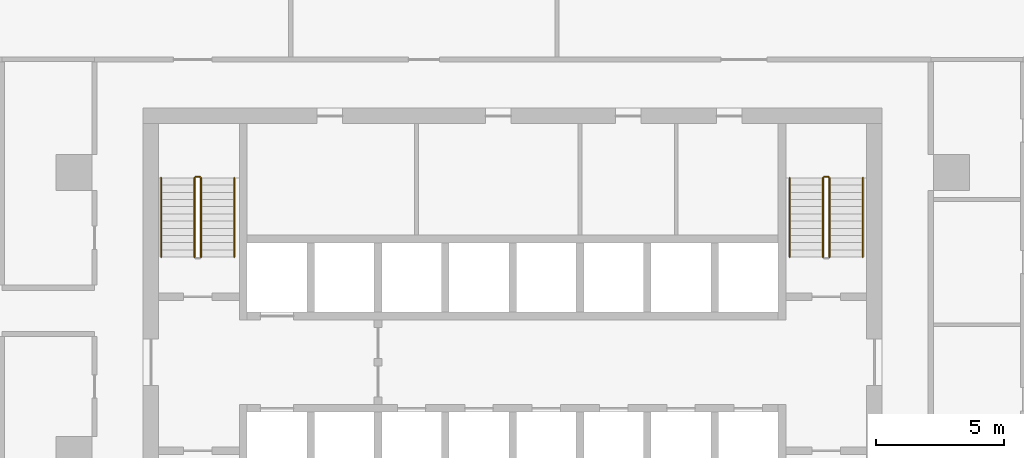
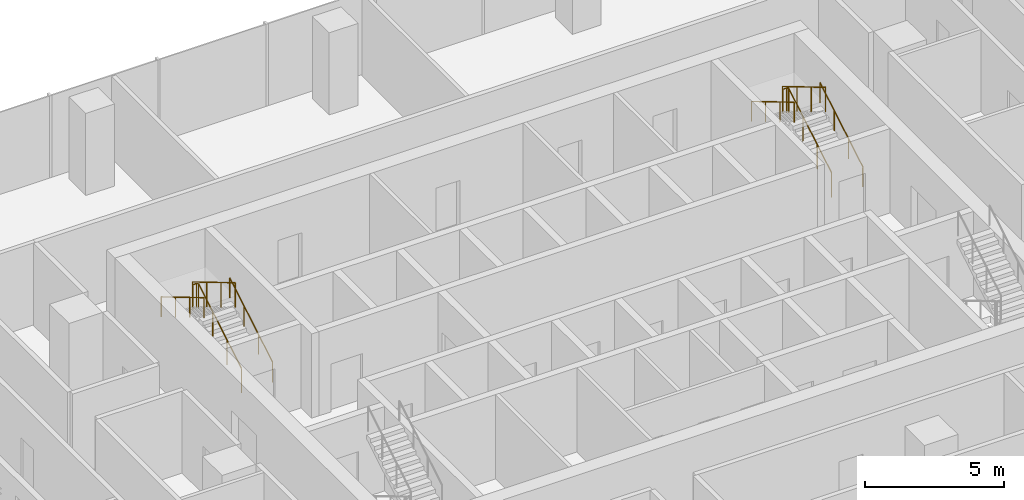
# One storey, part 15 of 15: 8 railings.
"""IFC4 building model written with IfcOpenShell, lengths in metres."""

import ifcopenshell
import ifcopenshell.guid

model = None  # the IFC model being written
_history = None  # IfcOwnerHistory: only IFC2X3 demands one
_inside = {}  # id of a spatial element -> (the spatial element, [elements in it])
_under = {}  # id of a project, library or spatial element -> (it, [spatial elements below it])
_declared = {}  # id of a project -> (the project, [libraries it declares])
_typed = {}  # id of a type object -> (the type object, [elements of that type])
_made_of = {}  # id of a material, layer set ... -> (it, [elements and type objects made of it])


def new_model(schema):
    """Start an empty IFC model of exactly this schema.

    Asked for "IFC4X3", IfcOpenShell would pick the latest addendum, in which some entities
    have other attributes; the version numbers below select the first issue.
    IFC2X3 requires an IfcOwnerHistory on every rooted entity: one is made here for all.
    """
    global model, _history
    if schema == "IFC4X3":
        model = ifcopenshell.file(schema_version=(4, 3, 0, 0))
    else:
        model = ifcopenshell.file(schema=schema)
    _inside.clear()
    _under.clear()
    _declared.clear()
    _typed.clear()
    _made_of.clear()
    _history = None
    if model.schema == "IFC2X3":
        org = make("IfcOrganization", Name="unknown")
        user = make(
            "IfcPersonAndOrganization",
            ThePerson=make("IfcPerson", FamilyName="unknown"),
            TheOrganization=org,
        )
        app = make(
            "IfcApplication",
            ApplicationDeveloper=org,
            Version="unknown",
            ApplicationFullName="unknown",
            ApplicationIdentifier="unknown",
        )
        _history = make(
            "IfcOwnerHistory",
            OwningUser=user,
            OwningApplication=app,
            ChangeAction="ADDED",
            CreationDate=0,
        )
    return model


def make(cls, **values):
    """One entity of the class cls with the attributes given. An attribute that is None is left unset."""
    return model.create_entity(
        cls, **{name: value for name, value in values.items() if value is not None}
    )


def rooted(cls, **values):
    """An entity with a GlobalId (a new one), such as an element, a storey or a relation."""
    return make(cls, GlobalId=ifcopenshell.guid.new(), OwnerHistory=_history, **values)


def si_unit(unit_type, name, prefix=None):
    """IfcSIUnit, for example si_unit("LENGTHUNIT", "METRE", prefix="MILLI")."""
    return make("IfcSIUnit", UnitType=unit_type, Prefix=prefix, Name=name)


def assignment(units):
    """IfcUnitAssignment: the units of a project."""
    return None if units is None else make("IfcUnitAssignment", Units=units)


def point(xyz):
    """IfcCartesianPoint."""
    return None if xyz is None else make("IfcCartesianPoint", Coordinates=xyz)


def direction(xyz):
    """IfcDirection."""
    return None if xyz is None else make("IfcDirection", DirectionRatios=xyz)


def frame(location, z_axis=None, x_axis=None):
    """IfcAxis2Placement3D, a coordinate frame: its origin and axes. An axis left out is left unset."""
    return make(
        "IfcAxis2Placement3D",
        Location=point(location),
        Axis=direction(z_axis),
        RefDirection=direction(x_axis),
    )


def frame_2d(location, x_axis=None):
    """IfcAxis2Placement2D, a coordinate frame in the plane: its origin and x axis."""
    return make(
        "IfcAxis2Placement2D", Location=point(location), RefDirection=direction(x_axis)
    )


def origin():
    """The frame at (0, 0, 0) with its axes left unset."""
    return frame((0.0, 0.0, 0.0))


def origin_2d():
    """The frame at (0, 0) in the plane with its x axis left unset."""
    return frame_2d((0.0, 0.0))


def place(relative_to, where):
    """IfcLocalPlacement: puts the frame where relative to a parent placement (None: the world)."""
    return make(
        "IfcLocalPlacement", PlacementRelTo=relative_to, RelativePlacement=where
    )


def context(
    kind, dimensions, precision=None, world=None, true_north=None, identifier=None
):
    """IfcGeometricRepresentationContext, for example the 3D "Model" context."""
    return make(
        "IfcGeometricRepresentationContext",
        ContextIdentifier=identifier,
        ContextType=kind,
        CoordinateSpaceDimension=dimensions,
        Precision=precision,
        WorldCoordinateSystem=world,
        TrueNorth=true_north,
    )


def subcontext(parent, identifier, kind, view, scale=None):
    """IfcGeometricRepresentationSubContext, for example "Body" below "Model"."""
    return make(
        "IfcGeometricRepresentationSubContext",
        ContextIdentifier=identifier,
        ContextType=kind,
        ParentContext=parent,
        TargetScale=scale,
        TargetView=view,
    )


def project(units=None, contexts=None):
    """IfcProject with its units and contexts."""
    return rooted(
        "IfcProject",
        Name="project",
        RepresentationContexts=contexts,
        UnitsInContext=assignment(units),
    )


def spatial(cls, under=None, at=None, **own):
    """A site, building, storey or space (cls), placed at a placement, below another one or the project."""
    s = rooted(cls, ObjectPlacement=at, **own)
    if under is not None:
        _under.setdefault(under.id(), (under, []))[1].append(s)
    return s


def profile(cls, at=None, kind="AREA", **sizes):
    """A parametric profile (cls). Its sizes go by their IFC names, for example OverallWidth=200.0."""
    return make(cls, ProfileType=kind, Position=at, **sizes)


def circle(**sizes):
    """IfcCircleProfileDef."""
    return profile("IfcCircleProfileDef", **sizes)


def extrude(swept, where, along, depth):
    """IfcExtrudedAreaSolid: the profile swept, set in the frame where, extruded along a direction by depth."""
    return make(
        "IfcExtrudedAreaSolid",
        SweptArea=swept,
        Position=where,
        ExtrudedDirection=direction(along),
        Depth=depth,
    )


def shape(context_of_items, identifier, shape_type, items):
    """IfcShapeRepresentation: the items that make up one representation, for example the "Body"."""
    return make(
        "IfcShapeRepresentation",
        ContextOfItems=context_of_items,
        RepresentationIdentifier=identifier,
        RepresentationType=shape_type,
        Items=items,
    )


def material(Name=None, Category=None):
    """IfcMaterial."""
    return make("IfcMaterial", Name=Name, Category=Category)


def made_of(thing, what):
    """Note that an element or type object is made of a material, layer set ...; save() writes the relation."""
    if what is not None:
        _made_of.setdefault(what.id(), (what, []))[1].append(thing)
    return thing


def type_object(cls, material=None, **own):
    """A type object (cls), such as IfcWallType, which elements share."""
    return made_of(rooted(cls, **own), material)


def element(
    cls,
    number,
    at=None,
    inside=None,
    cuts=None,
    type_object=None,
    material=None,
    context=None,
    identifier="Body",
    shape_type=None,
    held_by="IfcProductDefinitionShape",
    body=None,
    shapes=None,
    **own,
):
    """One element of the class cls, such as IfcWall. Its Tag is "e" and its number.

    at: its placement. inside: the storey or other place that contains it. cuts: it is an
    opening in that element (IfcRelVoidsElement). A single representation is given by context,
    identifier, shape_type and body (its items); several are given by shapes. held_by: the class
    of the entity that holds the representations. save() writes the other relations.
    """
    e = rooted(cls, Tag="e%d" % number, ObjectPlacement=at, **own)
    if body is not None:
        shapes = [shape(context, identifier, shape_type, body)]
    if shapes is not None:
        e.Representation = make(held_by, Representations=shapes)
    if inside is not None:
        _inside.setdefault(inside.id(), (inside, []))[1].append(e)
    if cuts is not None:
        rooted(
            "IfcRelVoidsElement", RelatingBuildingElement=cuts, RelatedOpeningElement=e
        )
    if type_object is not None:
        _typed.setdefault(type_object.id(), (type_object, []))[1].append(e)
    return made_of(e, material)


def aggregate(whole, parts):
    """IfcRelAggregates: a whole, such as a stair, and the parts it consists of."""
    return rooted("IfcRelAggregates", RelatingObject=whole, RelatedObjects=parts)


def save(model, path):
    """Write the relations noted so far, then the file.

    IfcRelAggregates (storeys below a building ...), IfcRelContainedInSpatialStructure (elements
    in a storey), IfcRelDefinesByType, IfcRelAssociatesMaterial and IfcRelDeclares: one each for
    every whole, place, type object, material and project.
    """
    for whole, parts in _under.values():
        aggregate(whole, parts)
    for where, things in _inside.values():
        rooted(
            "IfcRelContainedInSpatialStructure",
            RelatedElements=things,
            RelatingStructure=where,
        )
    for kind, things in _typed.values():
        rooted("IfcRelDefinesByType", RelatedObjects=things, RelatingType=kind)
    for what, things in _made_of.values():
        rooted("IfcRelAssociatesMaterial", RelatedObjects=things, RelatingMaterial=what)
    for by, libraries in _declared.values():
        rooted("IfcRelDeclares", RelatingContext=by, RelatedDefinitions=libraries)
    model.write(path)


model = new_model("IFC4")

# Units and contexts
model_context = context("Model", 3, precision=1e-05, world=origin(), true_north=direction((0.0, 1.0)))
body_context = subcontext(model_context, "Body", "Model", "MODEL_VIEW")
ifc_project = project(units=[si_unit("LENGTHUNIT", "METRE"), si_unit("AREAUNIT", "SQUARE_METRE"), si_unit("VOLUMEUNIT", "CUBIC_METRE"), si_unit("PLANEANGLEUNIT", "RADIAN"), si_unit("MASSUNIT", "GRAM", prefix="KILO")], contexts=[model_context])

# Site, building, storey
site_placement = place(None, origin())
site = spatial("IfcSite", under=ifc_project, at=site_placement, CompositionType="ELEMENT")
building_placement = place(site_placement, origin())
building = spatial("IfcBuilding", under=site, at=building_placement, Name="Mopane Tessera Tower", CompositionType="ELEMENT")
storey_placement = place(building_placement, frame((0.0, 0.0, 173.0)))
storey = spatial("IfcBuildingStorey", under=building, at=storey_placement, Name="L35", CompositionType="ELEMENT", Elevation=173.0)

# Railings
ifc_material_1 = material(Name="Powder-coated steel balustrade", Category="steel")
railing_type_1 = type_object("IfcRailingType", Name="Escape stair guard 1100 mm", PredefinedType="GUARDRAIL", material=ifc_material_1)
railing_1_placement = place(storey_placement, frame((-12.14990234375, 7.699951171875, 0.166748046875)))
element("IfcRailing", 1, at=railing_1_placement, inside=storey, type_object=railing_type_1, Name="L35 ST2 stair guard 1", PredefinedType="GUARDRAIL", context=body_context, shape_type="SweptSolid", body=[
    extrude(circle(Radius=0.02392578125, at=origin_2d()), frame((0.0, 0.0, 1.076171875), z_axis=(0.0, 0.859308565015, 0.511457515432), x_axis=(-1.0, 0.0, 0.0)), (0.0, 0.0, 1.0), 3.58447265625),
    extrude(circle(Radius=0.02392578125, at=origin_2d()), frame((0.0, 3.080078125, 2.9091796875), z_axis=(-0.707106781187, 0.707106781187, 0.0), x_axis=(-0.707106781187, -0.707106781187, 0.0)), (0.0, 0.0, 1.0), 0.07080078125),
    extrude(circle(Radius=0.02392578125, at=origin_2d()), frame((-0.050048828125, 3.130126953125, 2.9091796875), z_axis=(-1.0, 0.0, 0.0), x_axis=(0.0, -1.0, 0.0)), (0.0, 0.0, 1.0), 0.150146484375),
    extrude(circle(Radius=0.02099609375, at=origin_2d()), origin(), (0.0, 0.0, 1.0), 1.052001953125),
    extrude(circle(Radius=0.02099609375, at=origin_2d()), frame((0.0, 1.026611328125, 0.611083984375)), (0.0, 0.0, 1.0), 1.052001953125),
    extrude(circle(Radius=0.02099609375, at=origin_2d()), frame((0.0, 2.053466796875, 1.22216796875)), (0.0, 0.0, 1.0), 1.052001953125),
    extrude(circle(Radius=0.02099609375, at=origin_2d()), frame((0.0, 3.080078125, 1.833251953125)), (0.0, 0.0, 1.0), 1.052001953125),
    extrude(circle(Radius=0.02099609375, at=origin_2d()), frame((-0.050048828125, 3.130126953125, 1.833251953125)), (0.0, 0.0, 1.0), 1.052001953125),
    extrude(circle(Radius=0.02099609375, at=origin_2d()), frame((-0.2001953125, 3.130126953125, 1.833251953125)), (0.0, 0.0, 1.0), 1.052001953125),
])
railing_2_placement = place(storey_placement, frame((-12.39990234375, 10.780029296875, 2.166748046875)))
element("IfcRailing", 2, at=railing_2_placement, inside=storey, type_object=railing_type_1, Name="L35 ST2 stair guard 2", PredefinedType="GUARDRAIL", context=body_context, shape_type="SweptSolid", body=[
    extrude(circle(Radius=0.02392578125, at=origin_2d()), frame((0.0, 0.0, 1.076171875), z_axis=(0.0, -0.859308565015, 0.511457515432), x_axis=(1.0, 0.0, 0.0)), (0.0, 0.0, 1.0), 3.58447265625),
    extrude(circle(Radius=0.02099609375, at=origin_2d()), origin(), (0.0, 0.0, 1.0), 1.052001953125),
    extrude(circle(Radius=0.02099609375, at=origin_2d()), frame((0.0, -1.026611328125, 0.611083984375)), (0.0, 0.0, 1.0), 1.052001953125),
    extrude(circle(Radius=0.02099609375, at=origin_2d()), frame((0.0, -2.053466796875, 1.22216796875)), (0.0, 0.0, 1.0), 1.052001953125),
    extrude(circle(Radius=0.02099609375, at=origin_2d()), frame((0.0, -3.080078125, 1.833251953125)), (0.0, 0.0, 1.0), 1.052001953125),
])
railing_3_placement = place(storey_placement, frame((12.35009765625, 7.699951171875, 0.166748046875)))
element("IfcRailing", 3, at=railing_3_placement, inside=storey, type_object=railing_type_1, Name="L35 ST4 stair guard 1", PredefinedType="GUARDRAIL", context=body_context, shape_type="SweptSolid", body=[
    extrude(circle(Radius=0.02392578125, at=origin_2d()), frame((0.0, 0.0, 1.076171875), z_axis=(0.0, 0.859308565015, 0.511457515432), x_axis=(-1.0, 0.0, 0.0)), (0.0, 0.0, 1.0), 3.58447265625),
    extrude(circle(Radius=0.02392578125, at=origin_2d()), frame((0.0, 3.080078125, 2.9091796875), z_axis=(-0.707106781187, 0.707106781187, 0.0), x_axis=(-0.707106781187, -0.707106781187, 0.0)), (0.0, 0.0, 1.0), 0.07080078125),
    extrude(circle(Radius=0.02392578125, at=origin_2d()), frame((-0.050048828125, 3.130126953125, 2.9091796875), z_axis=(-1.0, 0.0, 0.0), x_axis=(0.0, -1.0, 0.0)), (0.0, 0.0, 1.0), 0.150146484375),
    extrude(circle(Radius=0.02099609375, at=origin_2d()), origin(), (0.0, 0.0, 1.0), 1.052001953125),
    extrude(circle(Radius=0.02099609375, at=origin_2d()), frame((0.0, 1.026611328125, 0.611083984375)), (0.0, 0.0, 1.0), 1.052001953125),
    extrude(circle(Radius=0.02099609375, at=origin_2d()), frame((0.0, 2.053466796875, 1.22216796875)), (0.0, 0.0, 1.0), 1.052001953125),
    extrude(circle(Radius=0.02099609375, at=origin_2d()), frame((0.0, 3.080078125, 1.833251953125)), (0.0, 0.0, 1.0), 1.052001953125),
    extrude(circle(Radius=0.02099609375, at=origin_2d()), frame((-0.050048828125, 3.130126953125, 1.833251953125)), (0.0, 0.0, 1.0), 1.052001953125),
    extrude(circle(Radius=0.02099609375, at=origin_2d()), frame((-0.2001953125, 3.130126953125, 1.833251953125)), (0.0, 0.0, 1.0), 1.052001953125),
])
railing_4_placement = place(storey_placement, frame((12.10009765625, 10.780029296875, 2.166748046875)))
element("IfcRailing", 4, at=railing_4_placement, inside=storey, type_object=railing_type_1, Name="L35 ST4 stair guard 2", PredefinedType="GUARDRAIL", context=body_context, shape_type="SweptSolid", body=[
    extrude(circle(Radius=0.02392578125, at=origin_2d()), frame((0.0, 0.0, 1.076171875), z_axis=(0.0, -0.859308565015, 0.511457515432), x_axis=(1.0, 0.0, 0.0)), (0.0, 0.0, 1.0), 3.58447265625),
    extrude(circle(Radius=0.02099609375, at=origin_2d()), origin(), (0.0, 0.0, 1.0), 1.052001953125),
    extrude(circle(Radius=0.02099609375, at=origin_2d()), frame((0.0, -1.026611328125, 0.611083984375)), (0.0, 0.0, 1.0), 1.052001953125),
    extrude(circle(Radius=0.02099609375, at=origin_2d()), frame((0.0, -2.053466796875, 1.22216796875)), (0.0, 0.0, 1.0), 1.052001953125),
    extrude(circle(Radius=0.02099609375, at=origin_2d()), frame((0.0, -3.080078125, 1.833251953125)), (0.0, 0.0, 1.0), 1.052001953125),
])
ifc_material_2 = material(Name="Powder-coated steel balustrade", Category="steel")
railing_type_2 = type_object("IfcRailingType", Name="Escape stair handrail 900 mm", PredefinedType="HANDRAIL", material=ifc_material_2)
railing_5_placement = place(storey_placement, frame((-10.85009765625, 7.699951171875, 0.166748046875)))
element("IfcRailing", 5, at=railing_5_placement, inside=storey, type_object=railing_type_2, Name="L35 ST2 stair handrail 1", PredefinedType="HANDRAIL", context=body_context, shape_type="SweptSolid", body=[
    extrude(circle(Radius=0.02392578125, at=origin_2d()), frame((0.0, 0.0, 0.8759765625), z_axis=(0.0, 0.859308565015, 0.511457515432), x_axis=(-1.0, 0.0, 0.0)), (0.0, 0.0, 1.0), 3.58447265625),
    extrude(circle(Radius=0.02099609375, at=origin_2d()), origin(), (0.0, 0.0, 1.0), 0.851806640625),
    extrude(circle(Radius=0.02099609375, at=origin_2d()), frame((0.0, 1.026611328125, 0.611083984375)), (0.0, 0.0, 1.0), 0.851806640625),
    extrude(circle(Radius=0.02099609375, at=origin_2d()), frame((0.0, 2.053466796875, 1.22216796875)), (0.0, 0.0, 1.0), 0.851806640625),
    extrude(circle(Radius=0.02099609375, at=origin_2d()), frame((0.0, 3.080078125, 1.833251953125)), (0.0, 0.0, 1.0), 0.851806640625),
])
railing_6_placement = place(storey_placement, frame((-13.699951171875, 10.780029296875, 2.166748046875)))
element("IfcRailing", 6, at=railing_6_placement, inside=storey, type_object=railing_type_2, Name="L35 ST2 stair handrail 2", PredefinedType="HANDRAIL", context=body_context, shape_type="SweptSolid", body=[
    extrude(circle(Radius=0.02392578125, at=origin_2d()), frame((0.0, 0.0, 0.8759765625), z_axis=(0.0, -0.859308565015, 0.511457515432), x_axis=(1.0, 0.0, 0.0)), (0.0, 0.0, 1.0), 3.58447265625),
    extrude(circle(Radius=0.02099609375, at=origin_2d()), origin(), (0.0, 0.0, 1.0), 0.851806640625),
    extrude(circle(Radius=0.02099609375, at=origin_2d()), frame((0.0, -1.026611328125, 0.611083984375)), (0.0, 0.0, 1.0), 0.851806640625),
    extrude(circle(Radius=0.02099609375, at=origin_2d()), frame((0.0, -2.053466796875, 1.22216796875)), (0.0, 0.0, 1.0), 0.851806640625),
    extrude(circle(Radius=0.02099609375, at=origin_2d()), frame((0.0, -3.080078125, 1.833251953125)), (0.0, 0.0, 1.0), 0.851806640625),
])
railing_7_placement = place(storey_placement, frame((13.64990234375, 7.699951171875, 0.166748046875)))
element("IfcRailing", 7, at=railing_7_placement, inside=storey, type_object=railing_type_2, Name="L35 ST4 stair handrail 1", PredefinedType="HANDRAIL", context=body_context, shape_type="SweptSolid", body=[
    extrude(circle(Radius=0.02392578125, at=origin_2d()), frame((0.0, 0.0, 0.8759765625), z_axis=(0.0, 0.859308565015, 0.511457515432), x_axis=(-1.0, 0.0, 0.0)), (0.0, 0.0, 1.0), 3.58447265625),
    extrude(circle(Radius=0.02099609375, at=origin_2d()), origin(), (0.0, 0.0, 1.0), 0.851806640625),
    extrude(circle(Radius=0.02099609375, at=origin_2d()), frame((0.0, 1.026611328125, 0.611083984375)), (0.0, 0.0, 1.0), 0.851806640625),
    extrude(circle(Radius=0.02099609375, at=origin_2d()), frame((0.0, 2.053466796875, 1.22216796875)), (0.0, 0.0, 1.0), 0.851806640625),
    extrude(circle(Radius=0.02099609375, at=origin_2d()), frame((0.0, 3.080078125, 1.833251953125)), (0.0, 0.0, 1.0), 0.851806640625),
])
railing_8_placement = place(storey_placement, frame((10.800048828125, 10.780029296875, 2.166748046875)))
element("IfcRailing", 8, at=railing_8_placement, inside=storey, type_object=railing_type_2, Name="L35 ST4 stair handrail 2", PredefinedType="HANDRAIL", context=body_context, shape_type="SweptSolid", body=[
    extrude(circle(Radius=0.02392578125, at=origin_2d()), frame((0.0, 0.0, 0.8759765625), z_axis=(0.0, -0.859308565015, 0.511457515432), x_axis=(1.0, 0.0, 0.0)), (0.0, 0.0, 1.0), 3.58447265625),
    extrude(circle(Radius=0.02099609375, at=origin_2d()), origin(), (0.0, 0.0, 1.0), 0.851806640625),
    extrude(circle(Radius=0.02099609375, at=origin_2d()), frame((0.0, -1.026611328125, 0.611083984375)), (0.0, 0.0, 1.0), 0.851806640625),
    extrude(circle(Radius=0.02099609375, at=origin_2d()), frame((0.0, -2.053466796875, 1.22216796875)), (0.0, 0.0, 1.0), 0.851806640625),
    extrude(circle(Radius=0.02099609375, at=origin_2d()), frame((0.0, -3.080078125, 1.833251953125)), (0.0, 0.0, 1.0), 0.851806640625),
])

save(model, "model.ifc")
